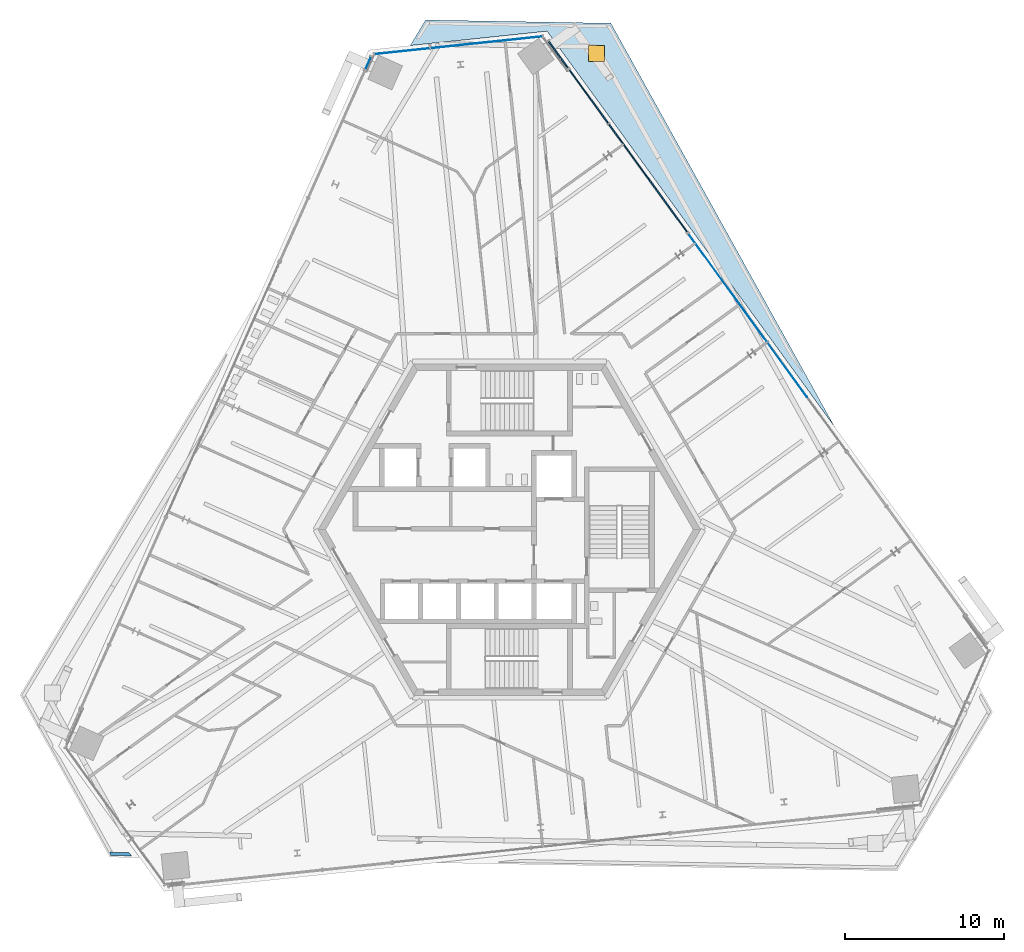
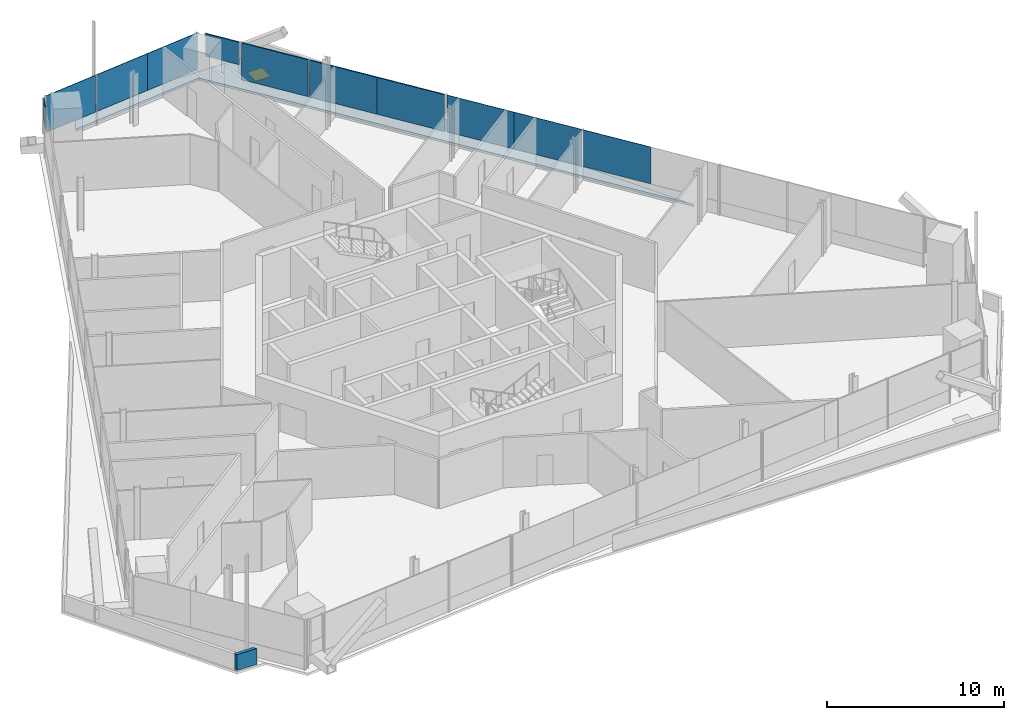
# One storey, part 12 of 21: 11 plates, 1 door, 1 slab, 1 wall, 1 opening, 5 elements without a shape of their own.
"""IFC4 building model written with IfcOpenShell, lengths in metres."""

from ifc_helpers import new_model, si_unit, direction, frame, origin, origin_2d, place, context, subcontext, project, spatial, polyline, rectangle, outline, extrude, source, transform, mapped, material, layer, layer_set, type_object, element, fill, aggregate, save


model = new_model("IFC4")

# Units and contexts
model_context = context("Model", 3, precision=1e-05, world=origin(), true_north=direction((0.0, 1.0)))
body_context = subcontext(model_context, "Body", "Model", "MODEL_VIEW")
ifc_project = project(units=[si_unit("LENGTHUNIT", "METRE"), si_unit("AREAUNIT", "SQUARE_METRE"), si_unit("VOLUMEUNIT", "CUBIC_METRE"), si_unit("PLANEANGLEUNIT", "RADIAN"), si_unit("MASSUNIT", "GRAM", prefix="KILO")], contexts=[model_context])

# Site, building, storey
site_placement = place(None, origin())
site = spatial("IfcSite", under=ifc_project, at=site_placement, CompositionType="ELEMENT")
building_placement = place(site_placement, origin())
building = spatial("IfcBuilding", under=site, at=building_placement, Name="Triune Harvest Tower", CompositionType="ELEMENT")
storey_placement = place(building_placement, frame((0.0, 0.0, 219.699951171875)))
storey = spatial("IfcBuildingStorey", under=building, at=storey_placement, Name="L57", CompositionType="ELEMENT", Elevation=219.699951171875)

# Slab, opening, door
ifc_material_1 = material(Name="Concrete 40 MPa", Category="concrete")
ifc_layer_1 = layer(ifc_material_1, 0.159912109375)
ifc_layer_set_1 = layer_set([ifc_layer_1], Name="Concrete 40 MPa")
slab_type = type_object("IfcSlabType", Name="WR-1 Wedge roof slab 160", PredefinedType="ROOF", material=ifc_layer_set_1)
slab_placement = place(storey_placement, frame((0.0, 0.0, -0.159912109375)))
slab = element("IfcSlab", 1, at=slab_placement, inside=storey, type_object=slab_type, Name="Wedge roof slab L56 3", PredefinedType="ROOF", context=body_context, shape_type="SweptSolid", body=[
    extrude(outline(polyline([(-5.256103515625, 31.981689453125), (-6.2197265625, 30.3779296875), (2.3701171875, 31.28076171875), (20.403076171875, 6.46044921875), (6.368896484375, 31.77880859375), (-5.256103515625, 31.981689453125)])), origin(), (0.0, 0.0, 1.0), 0.159912109375),
])
opening_placement = place(slab_placement, frame((5.478759765625, 29.8818359375, 0.0)))
opening = element("IfcOpeningElement", 2, at=opening_placement, cuts=slab, Name="Opening RH-L56.2", PredefinedType="OPENING", context=body_context, shape_type="SweptSolid", body=[
    extrude(rectangle(XDim=1.0, YDim=1.0, at=origin_2d()), origin(), (0.0, 0.0, 1.0), 0.159912109375),
])
ifc_material_2 = material(Name="Aluminium bronze anodised", Category="aluminium")
door_type = type_object("IfcDoorType", Name="RH-1 roof hatch 1000 x 1000", OperationType="SINGLE_SWING_LEFT", PredefinedType="TRAPDOOR", material=ifc_material_2)
door_placement = place(opening_placement, frame((0.0, 0.0, 0.10986328125)))
door = element("IfcDoor", 3, at=door_placement, inside=storey, type_object=door_type, Name="Roof hatch L56.2", OperationType="SINGLE_SWING_LEFT", OverallHeight=1.0, OverallWidth=1.0, PredefinedType="TRAPDOOR", context=body_context, shape_type="SweptSolid", body=[
    extrude(rectangle(XDim=1.0, YDim=1.0, at=origin_2d()), origin(), (0.0, 0.0, 1.0), 0.050048828125),
])
fill(opening, door)

# Curtain wall, plate
ifc_material_3 = material(Name="Aluminium bronze anodised", Category="aluminium")
curtain_wall_type_1 = type_object("IfcCurtainWallType", Name="CW-7 Tower stick curtain wall with insulated spandrel infill", PredefinedType="NOTDEFINED", material=ifc_material_3)
curtain_wall_1_placement = place(storey_placement, origin())
curtain_wall_1 = element("IfcCurtainWall", 4, at=curtain_wall_1_placement, inside=storey, type_object=curtain_wall_type_1, Name="CW-7 B6-F1 L57 run 201")
ifc_material_4 = material(Name="Insulated spandrel panel, bronze aluminium pan", Category="aluminium")
ifc_layer_2 = layer(ifc_material_4, 0.080078125)
ifc_layer_set_2 = layer_set([ifc_layer_2], Name="Insulated spandrel panel, bronze aluminium pan")
plate_type_1 = type_object("IfcPlateType", Name="SP-1 insulated spandrel panel 80", PredefinedType="CURTAIN_PANEL", material=ifc_layer_set_2)
shared_shape_1 = source(origin(), body_context, "Body", "SweptSolid", [
    extrude(rectangle(XDim=2.08154296875, YDim=0.080078125, at=origin_2d()), origin(), (0.0, 0.0, 1.0), 1.554931640625),
])
plate_1_placement = place(storey_placement, frame((3.071044921875, 29.804931640625, 1.88525390625), z_axis=(0.0, 0.0, 1.0), x_axis=(-0.587755957164, 0.809038277721, 0.0)))
plate_1 = element("IfcPlate", 5, at=plate_1_placement, type_object=plate_type_1, Name="CW-7 panel B6-F1 201.1", PredefinedType="CURTAIN_PANEL", context=body_context, shape_type="MappedRepresentation", body=[
    mapped(shared_shape_1, transform((0.0, 0.0, 0.0), scale=1.0)),
])
aggregate(curtain_wall_1, [plate_1])

# Curtain wall, plates
curtain_wall_2_placement = place(storey_placement, origin())
curtain_wall_2 = element("IfcCurtainWall", 6, at=curtain_wall_2_placement, inside=storey, type_object=curtain_wall_type_1, Name="CW-7 B6-F1 L57 run 2101")
shared_shape_2 = source(origin(), body_context, "Body", "SweptSolid", [
    extrude(rectangle(XDim=4.163330078125, YDim=0.080078125, at=origin_2d()), origin(), (0.0, 0.0, 1.0), 2.5400390625),
])
plate_2_placement = place(storey_placement, frame((9.93310546875, 20.3603515625, 0.900146484375), z_axis=(0.0, 0.0, 1.0), x_axis=(-0.587789111722, 0.809014190321, 0.0)))
plate_2 = element("IfcPlate", 7, at=plate_2_placement, type_object=plate_type_1, Name="CW-7 panel B6-F1 2101.1", PredefinedType="CURTAIN_PANEL", context=body_context, shape_type="MappedRepresentation", body=[
    mapped(shared_shape_2, transform((0.0, 0.0, 0.0), scale=1.0)),
])
shared_shape_3 = source(origin(), body_context, "Body", "SweptSolid", [
    extrude(rectangle(XDim=4.200927734375, YDim=0.080078125, at=origin_2d()), origin(), (0.0, 0.0, 1.0), 2.5400390625),
])
plate_3_placement = place(storey_placement, frame((7.474853515625, 23.743896484375, 0.900146484375), z_axis=(0.0, 0.0, 1.0), x_axis=(-0.587789111722, 0.809014190321, 0.0)))
plate_3 = element("IfcPlate", 8, at=plate_3_placement, type_object=plate_type_1, Name="CW-7 panel B6-F1 2101.2", PredefinedType="CURTAIN_PANEL", context=body_context, shape_type="MappedRepresentation", body=[
    mapped(shared_shape_3, transform((0.0, 0.0, 0.0), scale=1.0)),
])
shared_shape_4 = source(origin(), body_context, "Body", "SweptSolid", [
    extrude(rectangle(XDim=4.1259765625, YDim=0.080078125, at=origin_2d()), origin(), (0.0, 0.0, 1.0), 2.5400390625),
])
plate_4_placement = place(storey_placement, frame((4.983642578125, 27.172607421875, 0.900146484375), z_axis=(0.0, 0.0, 1.0), x_axis=(-0.587789111722, 0.809014190321, 0.0)))
plate_4 = element("IfcPlate", 9, at=plate_4_placement, type_object=plate_type_1, Name="CW-7 panel B6-F1 2101.3", PredefinedType="CURTAIN_PANEL", context=body_context, shape_type="MappedRepresentation", body=[
    mapped(shared_shape_4, transform((0.0, 0.0, 0.0), scale=1.0)),
])
aggregate(curtain_wall_2, [plate_2, plate_3, plate_4])

ifc_material_5 = material(Name="Aluminium bronze anodised", Category="aluminium")
curtain_wall_type_2 = type_object("IfcCurtainWallType", Name="CW-1 Tower stick curtain wall", PredefinedType="NOTDEFINED", material=ifc_material_5)
curtain_wall_3_placement = place(storey_placement, origin())
curtain_wall_3 = element("IfcCurtainWall", 10, at=curtain_wall_3_placement, inside=storey, type_object=curtain_wall_type_2, Name="CW-1 B6-F1 L57 run 1101")
ifc_material_6 = material(Name="Glass", Category="glass")
ifc_layer_3 = layer(ifc_material_6, 0.031982421875)
ifc_layer_set_3 = layer_set([ifc_layer_3], Name="Glass")
plate_type_2 = type_object("IfcPlateType", Name="GL-1 panel 32", PredefinedType="CURTAIN_PANEL", material=ifc_layer_set_3)
shared_shape_5 = source(origin(), body_context, "Body", "SweptSolid", [
    extrude(rectangle(XDim=4.163330078125, YDim=0.031982421875, at=origin_2d()), origin(), (0.0, 0.0, 1.0), 2.5400390625),
])
plate_5_placement = place(storey_placement, frame((12.46826171875, 16.870849609375, 0.900146484375), z_axis=(0.0, 0.0, 1.0), x_axis=(-0.587779872457, 0.809020903027, 0.0)))
plate_5 = element("IfcPlate", 11, at=plate_5_placement, type_object=plate_type_2, Name="CW-1 panel B6-F1 1101.4", PredefinedType="CURTAIN_PANEL", context=body_context, shape_type="MappedRepresentation", body=[
    mapped(shared_shape_5, transform((0.0, 0.0, 0.0), scale=1.0)),
])
shared_shape_6 = source(origin(), body_context, "Body", "SweptSolid", [
    extrude(rectangle(XDim=4.200927734375, YDim=0.031982421875, at=origin_2d()), origin(), (0.0, 0.0, 1.0), 2.5400390625),
])
plate_6_placement = place(storey_placement, frame((17.439697265625, 10.028076171875, 0.900146484375), z_axis=(0.0, 0.0, 1.0), x_axis=(-0.587779872457, 0.809020903027, 0.0)))
plate_6 = element("IfcPlate", 12, at=plate_6_placement, type_object=plate_type_2, Name="CW-1 panel B6-F1 1101.2", PredefinedType="CURTAIN_PANEL", context=body_context, shape_type="MappedRepresentation", body=[
    mapped(shared_shape_6, transform((0.0, 0.0, 0.0), scale=1.0)),
])
plate_7_placement = place(storey_placement, frame((14.926513671875, 13.4873046875, 0.900146484375), z_axis=(0.0, 0.0, 1.0), x_axis=(-0.587779872457, 0.809020903027, 0.0)))
plate_7 = element("IfcPlate", 13, at=plate_7_placement, type_object=plate_type_2, Name="CW-1 panel B6-F1 1101.3", PredefinedType="CURTAIN_PANEL", context=body_context, shape_type="MappedRepresentation", body=[
    mapped(shared_shape_6, transform((0.0, 0.0, 0.0), scale=1.0)),
])
aggregate(curtain_wall_3, [plate_6, plate_7, plate_5])

curtain_wall_4_placement = place(storey_placement, origin())
curtain_wall_4 = element("IfcCurtainWall", 14, at=curtain_wall_4_placement, inside=storey, type_object=curtain_wall_type_2, Name="CW-1 B6-F2 L57 run 1")
shared_shape_7 = source(origin(), body_context, "Body", "SweptSolid", [
    extrude(rectangle(XDim=3.500732421875, YDim=0.031982421875, at=origin_2d()), origin(), (0.0, 0.0, 1.0), 2.5400390625),
])
plate_8_placement = place(storey_placement, frame((0.32421875, 30.763671875, 0.900146484375), z_axis=(0.0, 0.0, 1.0), x_axis=(-0.994521768229, -0.104529672907, 0.0)))
plate_8 = element("IfcPlate", 15, at=plate_8_placement, type_object=plate_type_2, Name="CW-1 panel B6-F2 1.1", PredefinedType="CURTAIN_PANEL", context=body_context, shape_type="MappedRepresentation", body=[
    mapped(shared_shape_7, transform((0.0, 0.0, 0.0), scale=1.0)),
])
shared_shape_8 = source(origin(), body_context, "Body", "SweptSolid", [
    extrude(rectangle(XDim=3.5380859375, YDim=0.031982421875, at=origin_2d()), origin(), (0.0, 0.0, 1.0), 2.5400390625),
])
plate_9_placement = place(storey_placement, frame((-3.17578125, 30.395751953125, 0.900146484375), z_axis=(0.0, 0.0, 1.0), x_axis=(-0.994521768229, -0.104529672907, 0.0)))
plate_9 = element("IfcPlate", 16, at=plate_9_placement, type_object=plate_type_2, Name="CW-1 panel B6-F2 1.2", PredefinedType="CURTAIN_PANEL", context=body_context, shape_type="MappedRepresentation", body=[
    mapped(shared_shape_8, transform((0.0, 0.0, 0.0), scale=1.0)),
])
shared_shape_9 = source(origin(), body_context, "Body", "SweptSolid", [
    extrude(rectangle(XDim=3.463134765625, YDim=0.031982421875, at=origin_2d()), origin(), (0.0, 0.0, 1.0), 2.5400390625),
])
plate_10_placement = place(storey_placement, frame((-6.73193359375, 30.02197265625, 0.900146484375), z_axis=(0.0, 0.0, 1.0), x_axis=(-0.994521768229, -0.104529672907, 0.0)))
plate_10 = element("IfcPlate", 17, at=plate_10_placement, type_object=plate_type_2, Name="CW-1 panel B6-F2 1.3", PredefinedType="CURTAIN_PANEL", context=body_context, shape_type="MappedRepresentation", body=[
    mapped(shared_shape_9, transform((0.0, 0.0, 0.0), scale=1.0)),
])
aggregate(curtain_wall_4, [plate_8, plate_9, plate_10])

# Curtain wall, plate
curtain_wall_5_placement = place(storey_placement, origin())
curtain_wall_5 = element("IfcCurtainWall", 18, at=curtain_wall_5_placement, inside=storey, type_object=curtain_wall_type_2, Name="CW-1 B6-F3 L57 run 1")
shared_shape_10 = source(origin(), body_context, "Body", "SweptSolid", [
    extrude(rectangle(XDim=0.8466796875, YDim=0.031982421875, at=origin_2d()), origin(), (0.0, 0.0, 1.0), 1.554931640625),
])
plate_11_placement = place(storey_placement, frame((-8.857421875, 29.286376953125, 1.88525390625), z_axis=(0.0, 0.0, 1.0), x_axis=(-0.406715509478, -0.913554866634, 0.0)))
plate_11 = element("IfcPlate", 19, at=plate_11_placement, type_object=plate_type_2, Name="CW-1 panel B6-F3 1.1", PredefinedType="CURTAIN_PANEL", context=body_context, shape_type="MappedRepresentation", body=[
    mapped(shared_shape_10, transform((0.0, 0.0, 0.0), scale=1.0)),
])
aggregate(curtain_wall_5, [plate_11])

# Wall
ifc_material_7 = material(Name="Concrete 40 MPa", Category="concrete")
ifc_layer_4 = layer(ifc_material_7, 0.199951171875)
ifc_layer_set_4 = layer_set([ifc_layer_4], Name="Concrete 40 MPa")
wall_type = type_object("IfcWallType", Name="PA-1 parapet 200", PredefinedType="PARAPET", material=ifc_layer_set_4)
wall_placement = place(storey_placement, origin())
element("IfcWall", 20, at=wall_placement, inside=storey, type_object=wall_type, Name="Parapet wedge L56 2.1", PredefinedType="PARAPET", context=body_context, shape_type="SweptSolid", body=[
    extrude(outline(polyline([(-24.90185546875, -20.2255859375), (-24.890625, -20.245849609375), (-23.856689453125, -20.263916015625), (-23.70947265625, -20.466552734375), (-25.009521484375, -20.443603515625), (-25.065673828125, -20.3427734375), (-25.0634765625, -20.222900390625), (-24.90185546875, -20.2255859375)])), origin(), (0.0, 0.0, 1.0), 1.10009765625),
])

save(model, "model.ifc")
